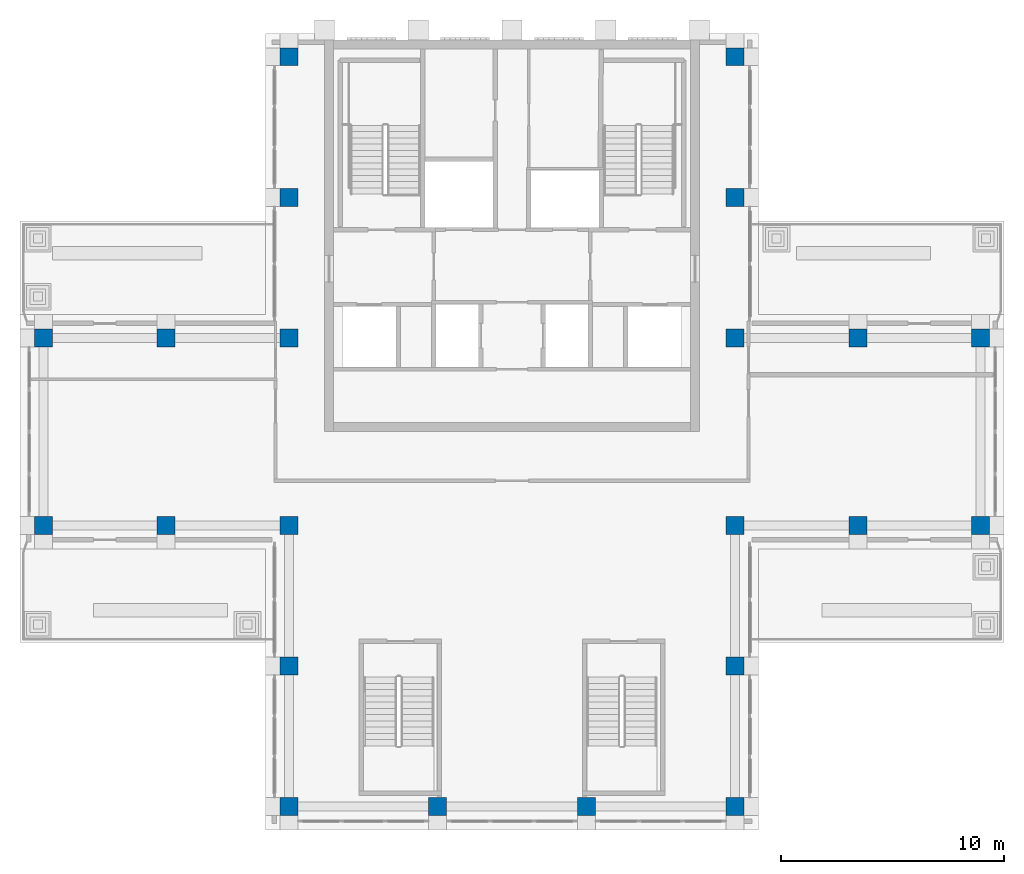
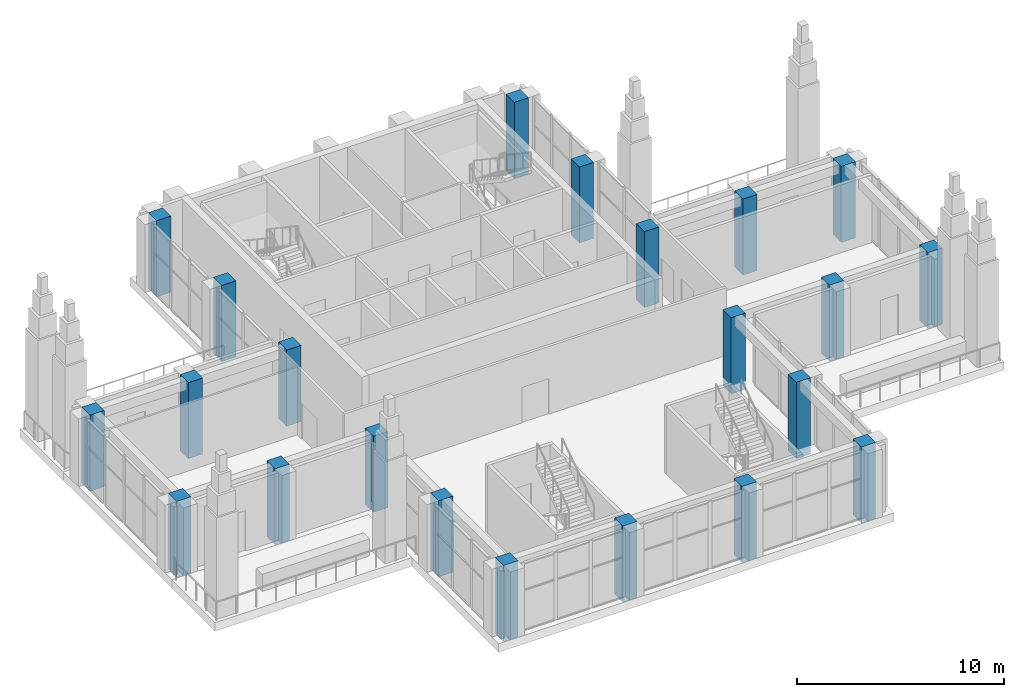
# One storey, part 1 of 14: 22 columns.
"""IFC4 building model written with IfcOpenShell, lengths in metres."""

from ifc_helpers import new_model, si_unit, direction, frame, origin, origin_2d, place, context, subcontext, project, spatial, rectangle, extrude, material, material_profile, profile_set, type_object, element, save


model = new_model("IFC4")

# Units and contexts
model_context = context("Model", 3, precision=1e-05, world=origin(), true_north=direction((0.0, 1.0)))
body_context = subcontext(model_context, "Body", "Model", "MODEL_VIEW")
ifc_project = project(units=[si_unit("LENGTHUNIT", "METRE"), si_unit("AREAUNIT", "SQUARE_METRE"), si_unit("VOLUMEUNIT", "CUBIC_METRE"), si_unit("PLANEANGLEUNIT", "RADIAN"), si_unit("MASSUNIT", "GRAM", prefix="KILO")], contexts=[model_context])

# Site, building, storey
site_placement = place(None, origin())
site = spatial("IfcSite", under=ifc_project, at=site_placement, CompositionType="ELEMENT")
building_placement = place(site_placement, origin())
building = spatial("IfcBuilding", under=site, at=building_placement, Name="Vermilion Ogive Tower", CompositionType="ELEMENT")
storey_placement = place(building_placement, frame((0.0, 0.0, 284.85009765625)))
storey = spatial("IfcBuildingStorey", under=building, at=storey_placement, Name="L74", CompositionType="ELEMENT", Elevation=284.85009765625)

# Columns
ifc_material = material(Name="Concrete B45", Category="concrete")
ifc_material_profile = material_profile(ifc_material, rectangle(XDim=0.800048828125, YDim=0.800048828125, at=origin_2d()), Name="800 x 800")
ifc_profile_set = profile_set([ifc_material_profile], Name="Concrete B45")
column_type = type_object("IfcColumnType", Name="Perimeter column 800 x 800 B45", PredefinedType="COLUMN", material=ifc_profile_set)
for number, where, z_axis, x_axis, name in (
    (1, (-10.0, -12.60009765625, -0.5), (0.0, 0.0, 1.0), (1.0, 0.0, 0.0), "COL-L74-P-0100-126"),
    (2, (-3.333251953125, -12.60009765625, -0.5), (0.0, 0.0, 1.0), (1.0, 0.0, 0.0), "COL-L74-P-0033-126"),
    (3, (3.333251953125, -12.60009765625, -0.5), (0.0, 0.0, 1.0), (1.0, 0.0, 0.0), "COL-L74-P+0033-126"),
    (4, (10.0, -12.60009765625, -0.5), (0.0, 0.0, 1.0), (1.0, 0.0, 0.0), "COL-L74-P+0100-126"),
    (5, (-10.0, -6.300048828125, -0.5), (0.0, 0.0, 1.0), (1.0, 0.0, 0.0), "COL-L74-P-0100-063"),
    (6, (10.0, -6.300048828125, -0.5), (0.0, 0.0, 1.0), (1.0, 0.0, 0.0), "COL-L74-P+0100-063"),
    (7, (-21.0, 0.0, -0.5), (0.0, 0.0, 1.0), (1.0, 0.0, 0.0), "COL-L74-P-0210+000"),
    (8, (-15.5, 0.0, -0.5), (0.0, 0.0, 1.0), (1.0, 0.0, 0.0), "COL-L74-P-0155+000"),
    (9, (-10.0, 0.0, -0.5), (0.0, 0.0, 1.0), (1.0, 0.0, 0.0), "COL-L74-P-0100+000"),
    (10, (10.0, 0.0, -0.5), (0.0, 0.0, 1.0), (1.0, 0.0, 0.0), "COL-L74-P+0100+000"),
    (11, (15.5, 0.0, -0.5), (0.0, 0.0, 1.0), (1.0, 0.0, 0.0), "COL-L74-P+0155+000"),
    (12, (21.0, 0.0, -0.5), (0.0, 0.0, 1.0), (1.0, 0.0, 0.0), "COL-L74-P+0210+000"),
    (13, (-21.0, 8.39990234375, -0.5), (0.0, 0.0, 1.0), (1.0, 0.0, 0.0), "COL-L74-P-0210+084"),
    (14, (-15.5, 8.39990234375, -0.5), (0.0, 0.0, 1.0), (1.0, 0.0, 0.0), "COL-L74-P-0155+084"),
    (15, (-10.0, 8.39990234375, -0.5), (0.0, 0.0, 1.0), (1.0, 0.0, 0.0), "COL-L74-P-0100+084"),
    (16, (10.0, 8.39990234375, -0.5), (0.0, 0.0, 1.0), (1.0, 0.0, 0.0), "COL-L74-P+0100+084"),
    (17, (15.5, 8.39990234375, -0.5), (0.0, 0.0, 1.0), (1.0, 0.0, 0.0), "COL-L74-P+0155+084"),
    (18, (21.0, 8.39990234375, -0.5), (0.0, 0.0, 1.0), (1.0, 0.0, 0.0), "COL-L74-P+0210+084"),
    (19, (-10.0, 14.699951171875, -0.5), (0.0, 0.0, 1.0), (1.0, 0.0, 0.0), "COL-L74-P-0100+147"),
    (20, (10.0, 14.699951171875, -0.5), (0.0, 0.0, 1.0), (1.0, 0.0, 0.0), "COL-L74-P+0100+147"),
    (21, (-10.0, 21.0, -0.5), (0.0, 0.0, 1.0), (1.0, 0.0, 0.0), "COL-L74-P-0100+210"),
    (22, (10.0, 21.0, -0.5), (0.0, 0.0, 1.0), (1.0, 0.0, 0.0), "COL-L74-P+0100+210"),
):
    element("IfcColumn", number, at=place(storey_placement, frame(where, z_axis=z_axis, x_axis=x_axis)), inside=storey, type_object=column_type, Name=name, PredefinedType="COLUMN", context=body_context, shape_type="SweptSolid", body=[
        extrude(rectangle(XDim=0.800048828125, YDim=0.800048828125, at=origin_2d()), origin(), (0.0, 0.0, 1.0), 4.5),
    ])

save(model, "model.ifc")
